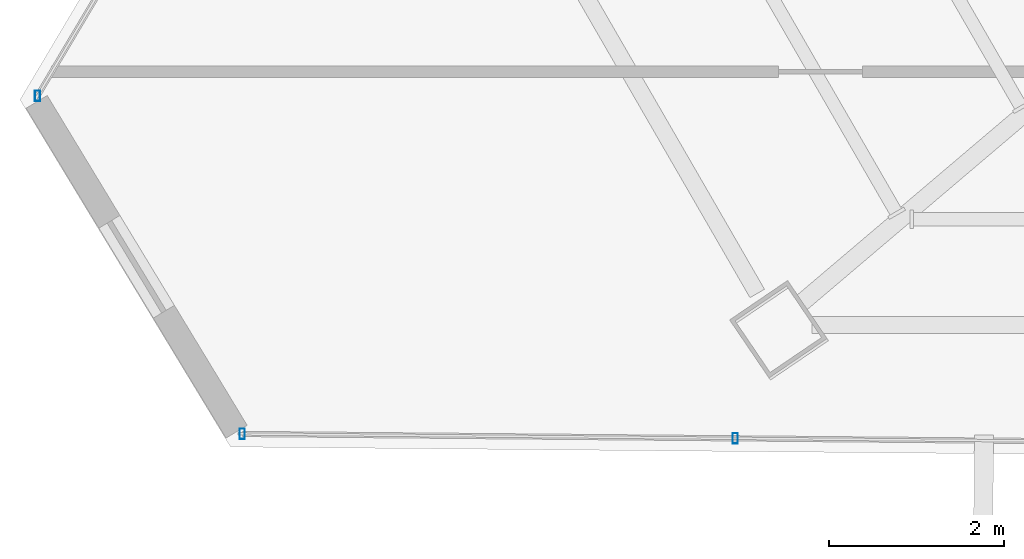
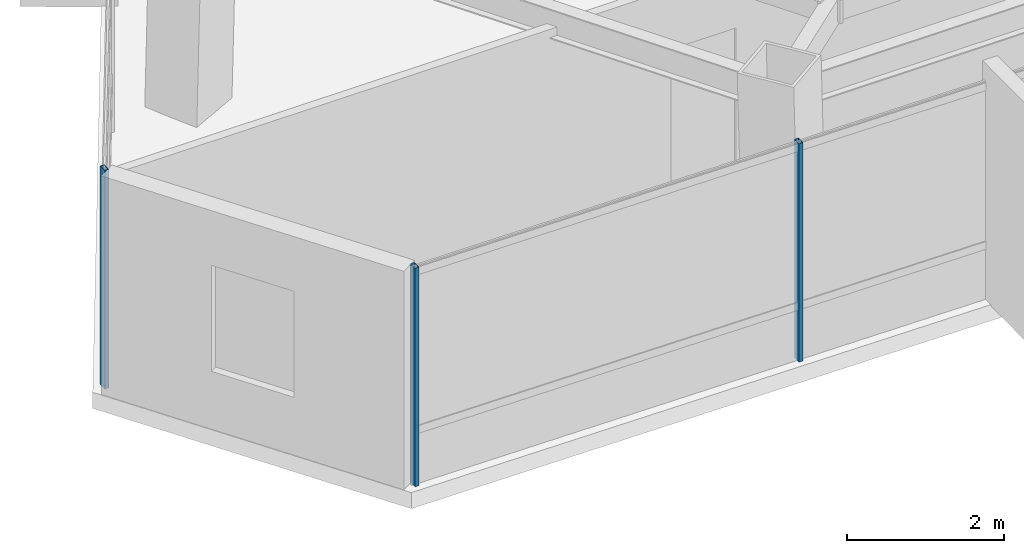
# One storey, part 3 of 49: 3 members, 2 elements without a shape of their own.
"""IFC4 building model written with IfcOpenShell, lengths in metres."""

import ifcopenshell
import ifcopenshell.guid

model = None  # the IFC model being written
_history = None  # IfcOwnerHistory: only IFC2X3 demands one
_inside = {}  # id of a spatial element -> (the spatial element, [elements in it])
_under = {}  # id of a project, library or spatial element -> (it, [spatial elements below it])
_declared = {}  # id of a project -> (the project, [libraries it declares])
_typed = {}  # id of a type object -> (the type object, [elements of that type])
_made_of = {}  # id of a material, layer set ... -> (it, [elements and type objects made of it])


def new_model(schema):
    """Start an empty IFC model of exactly this schema.

    Asked for "IFC4X3", IfcOpenShell would pick the latest addendum, in which some entities
    have other attributes; the version numbers below select the first issue.
    IFC2X3 requires an IfcOwnerHistory on every rooted entity: one is made here for all.
    """
    global model, _history
    if schema == "IFC4X3":
        model = ifcopenshell.file(schema_version=(4, 3, 0, 0))
    else:
        model = ifcopenshell.file(schema=schema)
    _inside.clear()
    _under.clear()
    _declared.clear()
    _typed.clear()
    _made_of.clear()
    _history = None
    if model.schema == "IFC2X3":
        org = make("IfcOrganization", Name="unknown")
        user = make(
            "IfcPersonAndOrganization",
            ThePerson=make("IfcPerson", FamilyName="unknown"),
            TheOrganization=org,
        )
        app = make(
            "IfcApplication",
            ApplicationDeveloper=org,
            Version="unknown",
            ApplicationFullName="unknown",
            ApplicationIdentifier="unknown",
        )
        _history = make(
            "IfcOwnerHistory",
            OwningUser=user,
            OwningApplication=app,
            ChangeAction="ADDED",
            CreationDate=0,
        )
    return model


def make(cls, **values):
    """One entity of the class cls with the attributes given. An attribute that is None is left unset."""
    return model.create_entity(
        cls, **{name: value for name, value in values.items() if value is not None}
    )


def rooted(cls, **values):
    """An entity with a GlobalId (a new one), such as an element, a storey or a relation."""
    return make(cls, GlobalId=ifcopenshell.guid.new(), OwnerHistory=_history, **values)


def si_unit(unit_type, name, prefix=None):
    """IfcSIUnit, for example si_unit("LENGTHUNIT", "METRE", prefix="MILLI")."""
    return make("IfcSIUnit", UnitType=unit_type, Prefix=prefix, Name=name)


def assignment(units):
    """IfcUnitAssignment: the units of a project."""
    return None if units is None else make("IfcUnitAssignment", Units=units)


def point(xyz):
    """IfcCartesianPoint."""
    return None if xyz is None else make("IfcCartesianPoint", Coordinates=xyz)


def direction(xyz):
    """IfcDirection."""
    return None if xyz is None else make("IfcDirection", DirectionRatios=xyz)


def frame(location, z_axis=None, x_axis=None):
    """IfcAxis2Placement3D, a coordinate frame: its origin and axes. An axis left out is left unset."""
    return make(
        "IfcAxis2Placement3D",
        Location=point(location),
        Axis=direction(z_axis),
        RefDirection=direction(x_axis),
    )


def frame_2d(location, x_axis=None):
    """IfcAxis2Placement2D, a coordinate frame in the plane: its origin and x axis."""
    return make(
        "IfcAxis2Placement2D", Location=point(location), RefDirection=direction(x_axis)
    )


def origin():
    """The frame at (0, 0, 0) with its axes left unset."""
    return frame((0.0, 0.0, 0.0))


def origin_2d():
    """The frame at (0, 0) in the plane with its x axis left unset."""
    return frame_2d((0.0, 0.0))


def place(relative_to, where):
    """IfcLocalPlacement: puts the frame where relative to a parent placement (None: the world)."""
    return make(
        "IfcLocalPlacement", PlacementRelTo=relative_to, RelativePlacement=where
    )


def context(
    kind, dimensions, precision=None, world=None, true_north=None, identifier=None
):
    """IfcGeometricRepresentationContext, for example the 3D "Model" context."""
    return make(
        "IfcGeometricRepresentationContext",
        ContextIdentifier=identifier,
        ContextType=kind,
        CoordinateSpaceDimension=dimensions,
        Precision=precision,
        WorldCoordinateSystem=world,
        TrueNorth=true_north,
    )


def subcontext(parent, identifier, kind, view, scale=None):
    """IfcGeometricRepresentationSubContext, for example "Body" below "Model"."""
    return make(
        "IfcGeometricRepresentationSubContext",
        ContextIdentifier=identifier,
        ContextType=kind,
        ParentContext=parent,
        TargetScale=scale,
        TargetView=view,
    )


def project(units=None, contexts=None):
    """IfcProject with its units and contexts."""
    return rooted(
        "IfcProject",
        Name="project",
        RepresentationContexts=contexts,
        UnitsInContext=assignment(units),
    )


def spatial(cls, under=None, at=None, **own):
    """A site, building, storey or space (cls), placed at a placement, below another one or the project."""
    s = rooted(cls, ObjectPlacement=at, **own)
    if under is not None:
        _under.setdefault(under.id(), (under, []))[1].append(s)
    return s


def profile(cls, at=None, kind="AREA", **sizes):
    """A parametric profile (cls). Its sizes go by their IFC names, for example OverallWidth=200.0."""
    return make(cls, ProfileType=kind, Position=at, **sizes)


def hollow_rectangle(**sizes):
    """IfcRectangleHollowProfileDef."""
    return profile("IfcRectangleHollowProfileDef", **sizes)


def extrude(swept, where, along, depth):
    """IfcExtrudedAreaSolid: the profile swept, set in the frame where, extruded along a direction by depth."""
    return make(
        "IfcExtrudedAreaSolid",
        SweptArea=swept,
        Position=where,
        ExtrudedDirection=direction(along),
        Depth=depth,
    )


def shape(context_of_items, identifier, shape_type, items):
    """IfcShapeRepresentation: the items that make up one representation, for example the "Body"."""
    return make(
        "IfcShapeRepresentation",
        ContextOfItems=context_of_items,
        RepresentationIdentifier=identifier,
        RepresentationType=shape_type,
        Items=items,
    )


def source(mapping_origin, context_of_items, identifier, shape_type, items):
    """IfcRepresentationMap: a shape defined once, which mapped items show again and again."""
    return make(
        "IfcRepresentationMap",
        MappingOrigin=mapping_origin,
        MappedRepresentation=shape(context_of_items, identifier, shape_type, items),
    )


def transform(
    local_origin,
    x_axis=None,
    y_axis=None,
    z_axis=None,
    scale=None,
    scale2=None,
    scale3=None,
    uniform=True,
):
    """IfcCartesianTransformationOperator3D, or its non-uniform kind. x_axis, y_axis, z_axis: its Axis1, 2, 3."""
    if uniform:
        return make(
            "IfcCartesianTransformationOperator3D",
            Axis1=direction(x_axis),
            Axis2=direction(y_axis),
            LocalOrigin=point(local_origin),
            Scale=scale,
            Axis3=direction(z_axis),
        )
    return make(
        "IfcCartesianTransformationOperator3DnonUniform",
        Axis1=direction(x_axis),
        Axis2=direction(y_axis),
        LocalOrigin=point(local_origin),
        Scale=scale,
        Axis3=direction(z_axis),
        Scale2=scale2,
        Scale3=scale3,
    )


def mapped(mapping_source, mapping_target):
    """IfcMappedItem: shows the shape of a source again, moved by a transform."""
    return make(
        "IfcMappedItem", MappingSource=mapping_source, MappingTarget=mapping_target
    )


def material(Name=None, Category=None):
    """IfcMaterial."""
    return make("IfcMaterial", Name=Name, Category=Category)


def material_profile(
    of_material, cross_section, Name=None, Category=None, Priority=None
):
    """IfcMaterialProfile: a cross section and its material."""
    return make(
        "IfcMaterialProfile",
        Name=Name,
        Material=of_material,
        Profile=cross_section,
        Priority=Priority,
        Category=Category,
    )


def profile_set(profiles, Name=None, composite=None):
    """IfcMaterialProfileSet."""
    return make(
        "IfcMaterialProfileSet",
        Name=Name,
        MaterialProfiles=profiles,
        CompositeProfile=composite,
    )


def made_of(thing, what):
    """Note that an element or type object is made of a material, layer set ...; save() writes the relation."""
    if what is not None:
        _made_of.setdefault(what.id(), (what, []))[1].append(thing)
    return thing


def type_object(cls, material=None, **own):
    """A type object (cls), such as IfcWallType, which elements share."""
    return made_of(rooted(cls, **own), material)


def type_shapes(of_type, sources):
    """Give a type object the sources (RepresentationMaps) that its elements show as mapped items."""
    of_type.RepresentationMaps = sources


def element(
    cls,
    number,
    at=None,
    inside=None,
    cuts=None,
    type_object=None,
    material=None,
    context=None,
    identifier="Body",
    shape_type=None,
    held_by="IfcProductDefinitionShape",
    body=None,
    shapes=None,
    **own,
):
    """One element of the class cls, such as IfcWall. Its Tag is "e" and its number.

    at: its placement. inside: the storey or other place that contains it. cuts: it is an
    opening in that element (IfcRelVoidsElement). A single representation is given by context,
    identifier, shape_type and body (its items); several are given by shapes. held_by: the class
    of the entity that holds the representations. save() writes the other relations.
    """
    e = rooted(cls, Tag="e%d" % number, ObjectPlacement=at, **own)
    if body is not None:
        shapes = [shape(context, identifier, shape_type, body)]
    if shapes is not None:
        e.Representation = make(held_by, Representations=shapes)
    if inside is not None:
        _inside.setdefault(inside.id(), (inside, []))[1].append(e)
    if cuts is not None:
        rooted(
            "IfcRelVoidsElement", RelatingBuildingElement=cuts, RelatedOpeningElement=e
        )
    if type_object is not None:
        _typed.setdefault(type_object.id(), (type_object, []))[1].append(e)
    return made_of(e, material)


def aggregate(whole, parts):
    """IfcRelAggregates: a whole, such as a stair, and the parts it consists of."""
    return rooted("IfcRelAggregates", RelatingObject=whole, RelatedObjects=parts)


def save(model, path):
    """Write the relations noted so far, then the file.

    IfcRelAggregates (storeys below a building ...), IfcRelContainedInSpatialStructure (elements
    in a storey), IfcRelDefinesByType, IfcRelAssociatesMaterial and IfcRelDeclares: one each for
    every whole, place, type object, material and project.
    """
    for whole, parts in _under.values():
        aggregate(whole, parts)
    for where, things in _inside.values():
        rooted(
            "IfcRelContainedInSpatialStructure",
            RelatedElements=things,
            RelatingStructure=where,
        )
    for kind, things in _typed.values():
        rooted("IfcRelDefinesByType", RelatedObjects=things, RelatingType=kind)
    for what, things in _made_of.values():
        rooted("IfcRelAssociatesMaterial", RelatedObjects=things, RelatingMaterial=what)
    for by, libraries in _declared.values():
        rooted("IfcRelDeclares", RelatingContext=by, RelatedDefinitions=libraries)
    model.write(path)


model = new_model("IFC4")

# Units and contexts
model_context = context("Model", 3, precision=1e-05, world=origin(), true_north=direction((0.0, 1.0)))
body_context = subcontext(model_context, "Body", "Model", "MODEL_VIEW")
ifc_project = project(units=[si_unit("LENGTHUNIT", "METRE"), si_unit("AREAUNIT", "SQUARE_METRE"), si_unit("VOLUMEUNIT", "CUBIC_METRE"), si_unit("PLANEANGLEUNIT", "RADIAN"), si_unit("MASSUNIT", "GRAM", prefix="KILO")], contexts=[model_context])

# Site, building, storey
site_placement = place(None, origin())
site = spatial("IfcSite", under=ifc_project, at=site_placement, CompositionType="ELEMENT")
building_placement = place(site_placement, origin())
building = spatial("IfcBuilding", under=site, at=building_placement, Name="Caelisora Broadcast Tower", CompositionType="ELEMENT")
storey_placement = place(building_placement, frame((0.0, 0.0, 233.5)))
storey = spatial("IfcBuildingStorey", under=building, at=storey_placement, Name="L61", CompositionType="ELEMENT", Elevation=233.5)

# Curtain wall, members
ifc_material_1 = material(Name="Unitised Aluminium and Low-E Glass Curtain Wall", Category="glass")
curtain_wall_type = type_object("IfcCurtainWallType", Name="CW-Z5", PredefinedType="NOTDEFINED", material=ifc_material_1)
curtain_wall_1_placement = place(storey_placement, origin())
curtain_wall_1 = element("IfcCurtainWall", 1, at=curtain_wall_1_placement, inside=storey, type_object=curtain_wall_type, Name="L61 curtain wall CW-Z5", PredefinedType="NOTDEFINED")
ifc_material_2 = material(Name="Aluminium 6063-T6 Anodised Terracotta Bronze", Category="aluminium")
ifc_material_profile = material_profile(ifc_material_2, hollow_rectangle(XDim=0.06005859375, YDim=0.1201171875, WallThickness=0.0029296875, at=origin_2d()), Name="Aluminium 6063-T6 Anodised Terracotta Bronze")
ifc_profile_set = profile_set([ifc_material_profile], Name="Aluminium 6063-T6 Anodised Terracotta Bronze")
member_type = type_object("IfcMemberType", Name="CWM-04", PredefinedType="MULLION", material=ifc_profile_set)
shared_shape = source(origin(), body_context, "Body", "SweptSolid", [
    extrude(hollow_rectangle(XDim=0.06005859375, YDim=0.1201171875, WallThickness=0.0029296875, at=origin_2d()), origin(), (0.0, 0.0, 1.0), 3.39990234375),
])
type_shapes(member_type, [shared_shape])
member_1_placement = place(storey_placement, frame((20.085693359375, 7.657470703125, 0.0), z_axis=(0.0, 0.0, 1.0), x_axis=(1.0, 0.0, 0.0)))
member_1 = element("IfcMember", 2, at=member_1_placement, type_object=member_type, Name="L61-CW-B07 mullion #2", PredefinedType="MULLION", context=body_context, shape_type="MappedRepresentation", body=[
    mapped(shared_shape, transform((0.0, 0.0, 0.0), scale=1.0)),
])
member_2_placement = place(storey_placement, frame((14.462890625, 7.70751953125, 0.0), z_axis=(0.0, 0.0, 1.0), x_axis=(1.0, 0.0, 0.0)))
member_2 = element("IfcMember", 3, at=member_2_placement, type_object=member_type, Name="L61-CW-B07 mullion #3", PredefinedType="MULLION", context=body_context, shape_type="MappedRepresentation", body=[
    mapped(shared_shape, transform((0.0, 0.0, 0.0), scale=1.0)),
])
aggregate(curtain_wall_1, [member_1, member_2])

# Curtain wall, member
curtain_wall_2_placement = place(storey_placement, origin())
curtain_wall_2 = element("IfcCurtainWall", 4, at=curtain_wall_2_placement, inside=storey, type_object=curtain_wall_type, Name="L61 curtain wall CW-Z5", PredefinedType="NOTDEFINED")
member_3_placement = place(storey_placement, frame((12.12646484375, 11.56494140625, 0.0), z_axis=(0.0, 0.0, 1.0), x_axis=(1.0, 0.0, 0.0)))
member_3 = element("IfcMember", 5, at=member_3_placement, type_object=member_type, Name="L61-CW-B09 mullion #0", PredefinedType="MULLION", context=body_context, shape_type="MappedRepresentation", body=[
    mapped(shared_shape, transform((0.0, 0.0, 0.0), scale=1.0)),
])
aggregate(curtain_wall_2, [member_3])

save(model, "model.ifc")
